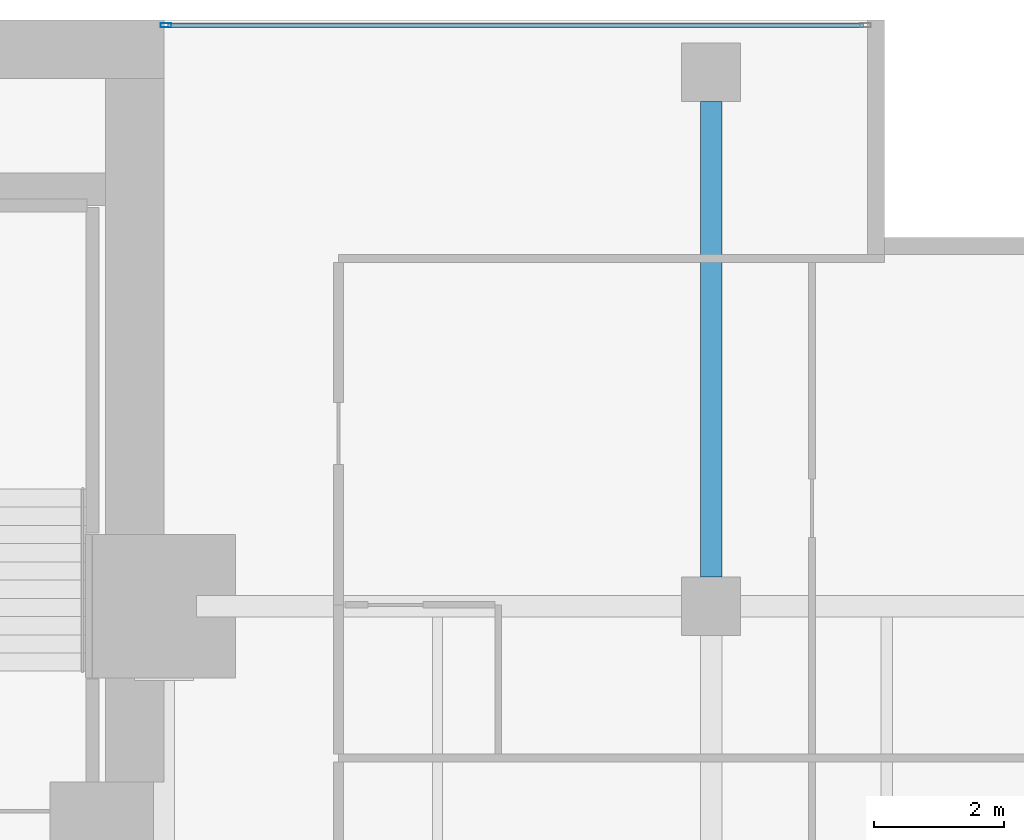
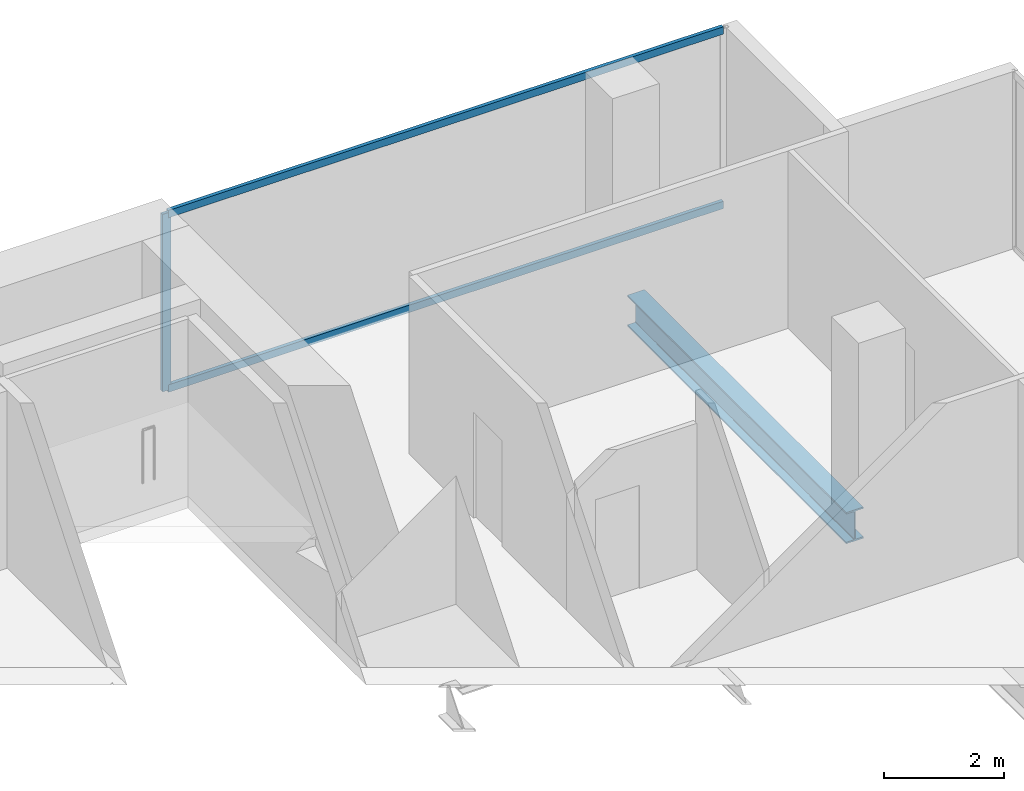
# One storey, part 30 of 40: 3 members, 1 beam, 1 element without a shape of its own.
"""IFC4 building model written with IfcOpenShell, lengths in metres."""

from ifc_helpers import new_model, si_unit, direction, frame, origin, origin_2d, place, context, subcontext, project, spatial, hollow_rectangle, i_section, extrude, material, layer, layer_set, material_profile, profile_set, type_object, element, aggregate, save


model = new_model("IFC4")

# Units and contexts
model_context = context("Model", 3, precision=1e-05, world=origin(), true_north=direction((0.0, 1.0)))
body_context = subcontext(model_context, "Body", "Model", "MODEL_VIEW")
ifc_project = project(units=[si_unit("LENGTHUNIT", "METRE"), si_unit("AREAUNIT", "SQUARE_METRE"), si_unit("VOLUMEUNIT", "CUBIC_METRE"), si_unit("PLANEANGLEUNIT", "RADIAN"), si_unit("MASSUNIT", "GRAM", prefix="KILO")], contexts=[model_context])

# Site, building, storey
site_placement = place(None, origin())
site = spatial("IfcSite", under=ifc_project, at=site_placement, CompositionType="ELEMENT")
building_placement = place(site_placement, origin())
building = spatial("IfcBuilding", under=site, at=building_placement, Name="Maruvema Waterfront Hotel and Observation Tower", CompositionType="ELEMENT")
storey_placement = place(building_placement, frame((0.0, 0.0, 30.800048828125)))
storey = spatial("IfcBuildingStorey", under=building, at=storey_placement, Name="L06", CompositionType="ELEMENT", Elevation=30.800048828125)

# Curtain wall, members
ifc_material_1 = material(Name="Anodised bronze aluminium and solar-control low-E IGU", Category="aluminium")
ifc_layer = layer(ifc_material_1, 0.159912109375, Name="Zone 1 Bronze Inner Thermal Curtain Wall System CW-02")
ifc_layer_set = layer_set([ifc_layer], Name="Anodised bronze aluminium and solar-control low-E IGU")
curtain_wall_type = type_object("IfcCurtainWallType", Name="Zone 1 Bronze Inner Thermal Curtain Wall System CW-02", PredefinedType="USERDEFINED", material=ifc_layer_set)
curtain_wall_placement = place(storey_placement, origin())
curtain_wall = element("IfcCurtainWall", 1, at=curtain_wall_placement, inside=storey, type_object=curtain_wall_type, Name="L06 Curtain Wall CW-L06-NE", ObjectType="UNITISED CURTAIN WALL", PredefinedType="USERDEFINED")
ifc_material_2 = material(Name="Anodised architectural bronze aluminium", Category="aluminium")
ifc_material_profile_1 = material_profile(ifc_material_2, hollow_rectangle(XDim=0.070068359375, YDim=0.14990234375, WallThickness=0.00390625, at=origin_2d()), Name="ALU-T70x150")
ifc_profile_set_1 = profile_set([ifc_material_profile_1], Name="Anodised architectural bronze aluminium")
member_type_1 = type_object("IfcMemberType", Name="Curtain Wall Horizontal Transom ALU-T70x150", PredefinedType="USERDEFINED", material=ifc_profile_set_1)
member_1_placement = place(storey_placement, frame((61.139892578125, 53.919921875, 0.030029296875), z_axis=(-1.0, 0.0, 0.0), x_axis=(0.0, -1.0, 0.0)))
member_1 = element("IfcMember", 2, at=member_1_placement, type_object=member_type_1, Name="CW-02 transom 1.1", ObjectType="TRANSOM", PredefinedType="USERDEFINED", context=body_context, shape_type="SweptSolid", body=[
    extrude(hollow_rectangle(XDim=0.070068359375, YDim=0.14990234375, WallThickness=0.00390625, at=origin_2d()), origin(), (0.0, 0.0, 1.0), 10.679931640625),
])
member_2_placement = place(storey_placement, frame((61.139892578125, 53.919921875, 3.579833984375), z_axis=(-1.0, 0.0, 0.0), x_axis=(0.0, -1.0, 0.0)))
member_2 = element("IfcMember", 3, at=member_2_placement, type_object=member_type_1, Name="CW-02 transom 1.2", ObjectType="TRANSOM", PredefinedType="USERDEFINED", context=body_context, shape_type="SweptSolid", body=[
    extrude(hollow_rectangle(XDim=0.070068359375, YDim=0.14990234375, WallThickness=0.00390625, at=origin_2d()), origin(), (0.0, 0.0, 1.0), 10.679931640625),
])
ifc_material_3 = material(Name="Anodised architectural bronze aluminium", Category="aluminium")
ifc_material_profile_2 = material_profile(ifc_material_3, hollow_rectangle(XDim=0.06494140625, YDim=0.1650390625, WallThickness=0.00390625, at=origin_2d()), Name="ALU-M65x165")
ifc_profile_set_2 = profile_set([ifc_material_profile_2], Name="Anodised architectural bronze aluminium")
member_type_2 = type_object("IfcMemberType", Name="Curtain Wall Primary Mullion ALU-M65x165", PredefinedType="MULLION", material=ifc_profile_set_2)
member_3_placement = place(storey_placement, frame((50.429931640625, 53.919921875, 0.0), z_axis=(0.0, 0.0, 1.0), x_axis=(0.0, -1.0, 0.0)))
member_3 = element("IfcMember", 4, at=member_3_placement, type_object=member_type_2, Name="CW-02 mullion 2", PredefinedType="MULLION", context=body_context, shape_type="SweptSolid", body=[
    extrude(hollow_rectangle(XDim=0.06494140625, YDim=0.1650390625, WallThickness=0.00390625, at=origin_2d()), origin(), (0.0, 0.0, 1.0), 3.60986328125),
])
aggregate(curtain_wall, [member_3, member_1, member_2])

# Beam
ifc_material_4 = material(Name="Steel ASTM A572 Grade 50", Category="steel")
ifc_material_profile_3 = material_profile(ifc_material_4, i_section(OverallWidth=0.3291015625, OverallDepth=0.635009765625, WebThickness=0.017822265625, FlangeThickness=0.031005859375, FilletRadius=0.01806640625, at=origin_2d()), Name="W610x241.0")
ifc_profile_set_3 = profile_set([ifc_material_profile_3], Name="Steel ASTM A572 Grade 50")
beam_type = type_object("IfcBeamType", Name="Primary Floor Girder W610x241.0", PredefinedType="BEAM", material=ifc_profile_set_3)
beam_placement = place(storey_placement, frame((58.800048828125, 45.449951171875, -0.5576171875), z_axis=(0.0, 1.0, 0.0), x_axis=(-1.0, 0.0, 0.0)))
element("IfcBeam", 5, at=beam_placement, inside=storey, type_object=beam_type, Name="L06 Floor Girder NS-32", PredefinedType="BEAM", context=body_context, shape_type="SweptSolid", body=[
    extrude(i_section(OverallWidth=0.3291015625, OverallDepth=0.635009765625, WebThickness=0.017822265625, FlangeThickness=0.031005859375, FilletRadius=0.01806640625, at=origin_2d()), origin(), (0.0, 0.0, 1.0), 7.300048828125),
])

save(model, "model.ifc")
